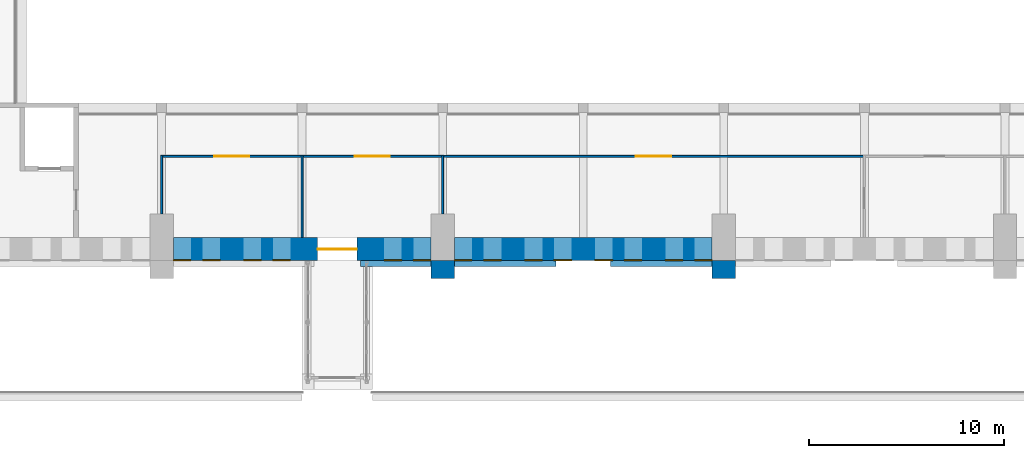
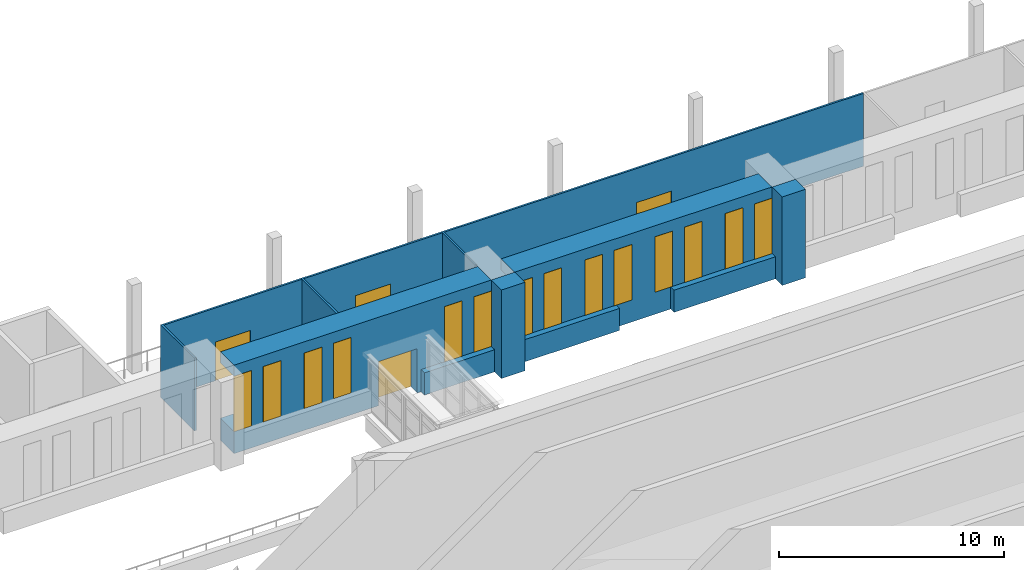
# One storey, part 79 of 131: 14 windows, 13 walls, 4 doors, 18 openings.
"""IFC4 building model written with IfcOpenShell, lengths in metres."""

from ifc_helpers import new_model, si_unit, direction, frame, frame_2d, origin, place, context, subcontext, project, spatial, rectangle, extrude, material, layer, layer_set, type_object, element, fill, save


model = new_model("IFC4")

# Units and contexts
model_context = context("Model", 3, precision=1e-05, world=origin(), true_north=direction((0.0, 1.0)))
body_context = subcontext(model_context, "Body", "Model", "MODEL_VIEW")
ifc_project = project(units=[si_unit("LENGTHUNIT", "METRE"), si_unit("AREAUNIT", "SQUARE_METRE"), si_unit("VOLUMEUNIT", "CUBIC_METRE"), si_unit("PLANEANGLEUNIT", "RADIAN"), si_unit("MASSUNIT", "GRAM", prefix="KILO")], contexts=[model_context])

# Site, building, storey
site_placement = place(None, origin())
site = spatial("IfcSite", under=ifc_project, at=site_placement, CompositionType="ELEMENT")
building_placement = place(site_placement, origin())
building = spatial("IfcBuilding", under=site, at=building_placement, Name="Alderwick Market Hall", CompositionType="ELEMENT")
storey_placement = place(building_placement, frame((0.0, 0.0, 4.800048828125)))
storey = spatial("IfcBuildingStorey", under=building, at=storey_placement, Name="L00", CompositionType="ELEMENT", Elevation=4.800048828125)

# Walls
ifc_material_1 = material(Name="Cast stone 5000 psi (f'c 35 MPa), ASTM C1364", Category="masonry")
ifc_layer_1 = layer(ifc_material_1, 0.300048828125)
ifc_layer_set_1 = layer_set([ifc_layer_1], Name="Cast stone 5000 psi (f'c 35 MPa), ASTM C1364")
wall_type_1 = type_object("IfcWallType", Name="H Base course 300", PredefinedType="SOLIDWALL", material=ifc_layer_set_1)
wall_1_placement = place(storey_placement, frame((75.0, 49.64990234375, 0.0), z_axis=(0.0, 0.0, 1.0), x_axis=(1.0, 0.0, 0.0)))
element("IfcWall", 1, at=wall_1_placement, inside=storey, type_object=wall_type_1, Name="Base course S2", PredefinedType="SOLIDWALL", context=body_context, shape_type="SweptSolid", body=[
    extrude(rectangle(XDim=3.60009765625, YDim=0.300048828125, at=frame_2d((1.800048828125, 0.0))), origin(), (0.0, 0.0, 1.0), 1.199951171875),
])
for number, where, z_axis, x_axis, name in (
    (2, (79.800048828125, 49.64990234375, 0.0), (0.0, 0.0, 1.0), (1.0, 0.0, 0.0), "Base course S3"),
    (3, (87.800048828125, 49.64990234375, 0.0), (0.0, 0.0, 1.0), (1.0, 0.0, 0.0), "Base course S3"),
):
    element("IfcWall", number, at=place(storey_placement, frame(where, z_axis=z_axis, x_axis=x_axis)), inside=storey, type_object=wall_type_1, Name=name, PredefinedType="SOLIDWALL", context=body_context, shape_type="SweptSolid", body=[
        extrude(rectangle(XDim=5.199951171875, YDim=0.300048828125, at=frame_2d((2.60009765625, 0.0))), origin(), (0.0, 0.0, 1.0), 1.199951171875),
    ])
ifc_material_2 = material(Name="Face brick masonry, ASTM C216 grade SW (f'm 17 MPa)", Category="masonry")
ifc_layer_2 = layer(ifc_material_2, 0.89990234375)
ifc_layer_set_2 = layer_set([ifc_layer_2], Name="Face brick masonry, ASTM C216 grade SW (f'm 17 MPa)")
wall_type_2 = type_object("IfcWallType", Name="H Buttress pier 900", PredefinedType="SOLIDWALL", material=ifc_layer_set_2)
for number, where, z_axis, x_axis, name in (
    (4, (78.60009765625, 49.35009765625, 0.0), (0.0, 0.0, 1.0), (1.0, 0.0, 0.0), "Buttress pier S3"),
    (5, (93.0, 49.35009765625, 0.0), (0.0, 0.0, 1.0), (1.0, 0.0, 0.0), "Buttress pier S4"),
):
    element("IfcWall", number, at=place(storey_placement, frame(where, z_axis=z_axis, x_axis=x_axis)), inside=storey, type_object=wall_type_2, Name=name, PredefinedType="SOLIDWALL", context=body_context, shape_type="SweptSolid", body=[
        extrude(rectangle(XDim=1.199951171875, YDim=0.89990234375, at=frame_2d((0.60009765625, 0.0))), origin(), (0.0, 0.0, 1.0), 4.800048828125),
    ])

# Wall, openings, door, windows
ifc_material_3 = material(Name="Concrete 5000 psi (f'c 35 MPa)", Category="concrete")
ifc_layer_3 = layer(ifc_material_3, 1.199951171875)
ifc_layer_set_3 = layer_set([ifc_layer_3], Name="Concrete 5000 psi (f'c 35 MPa)")
wall_type_3 = type_object("IfcWallType", Name="H Long wall 1200", PredefinedType="SOLIDWALL", material=ifc_layer_set_3)
wall_2_placement = place(storey_placement, frame((65.39990234375, 50.39990234375, 0.0), z_axis=(0.0, 0.0, 1.0), x_axis=(1.0, 0.0, 0.0)))
wall_2 = element("IfcWall", 6, at=wall_2_placement, inside=storey, type_object=wall_type_3, Name="Long wall S L00 2", PredefinedType="SOLIDWALL", context=body_context, shape_type="SweptSolid", body=[
    extrude(rectangle(XDim=13.2001953125, YDim=1.199951171875, at=frame_2d((6.60009765625, 0.0))), origin(), (0.0, 0.0, 1.0), 4.800048828125),
])
opening_1_placement = place(wall_2_placement, frame((7.39990234375, 0.0, 0.0)))
opening_1 = element("IfcOpeningElement", 7, at=opening_1_placement, cuts=wall_2, Name="Opening H-D014", PredefinedType="OPENING", context=body_context, shape_type="SweptSolid", body=[
    extrude(rectangle(XDim=2.0, YDim=2.39990234375, at=frame_2d((1.0, 1.199951171875))), frame((0.0, 0.60986328125, 0.0), z_axis=(0.0, -1.0, 0.0), x_axis=(1.0, 0.0, 0.0)), (0.0, 0.0, 1.0), 1.219970703125),
])
opening_2_placement = place(wall_2_placement, frame((0.0, 0.0, 1.199951171875)))
opening_2 = element("IfcOpeningElement", 8, at=opening_2_placement, cuts=wall_2, Name="Opening H-W009", PredefinedType="OPENING", context=body_context, shape_type="SweptSolid", body=[
    extrude(rectangle(XDim=0.89990234375, YDim=3.0, at=frame_2d((0.449951171875, 1.5))), frame((0.0, 0.60986328125, 0.0), z_axis=(0.0, -1.0, 0.0), x_axis=(1.0, 0.0, 0.0)), (0.0, 0.0, 1.0), 1.219970703125),
])
opening_3_placement = place(wall_2_placement, frame((1.5, 0.0, 1.199951171875)))
opening_3 = element("IfcOpeningElement", 9, at=opening_3_placement, cuts=wall_2, Name="Opening H-W010", PredefinedType="OPENING", context=body_context, shape_type="SweptSolid", body=[
    extrude(rectangle(XDim=0.89990234375, YDim=3.0, at=frame_2d((0.449951171875, 1.5))), frame((0.0, 0.60986328125, 0.0), z_axis=(0.0, -1.0, 0.0), x_axis=(1.0, 0.0, 0.0)), (0.0, 0.0, 1.0), 1.219970703125),
])
opening_4_placement = place(wall_2_placement, frame((3.60009765625, 0.0, 1.199951171875)))
opening_4 = element("IfcOpeningElement", 10, at=opening_4_placement, cuts=wall_2, Name="Opening H-W011", PredefinedType="OPENING", context=body_context, shape_type="SweptSolid", body=[
    extrude(rectangle(XDim=0.89990234375, YDim=3.0, at=frame_2d((0.449951171875, 1.5))), frame((0.0, 0.60986328125, 0.0), z_axis=(0.0, -1.0, 0.0), x_axis=(1.0, 0.0, 0.0)), (0.0, 0.0, 1.0), 1.219970703125),
])
opening_5_placement = place(wall_2_placement, frame((5.10009765625, 0.0, 1.199951171875)))
opening_5 = element("IfcOpeningElement", 11, at=opening_5_placement, cuts=wall_2, Name="Opening H-W012", PredefinedType="OPENING", context=body_context, shape_type="SweptSolid", body=[
    extrude(rectangle(XDim=0.89990234375, YDim=3.0, at=frame_2d((0.449951171875, 1.5))), frame((0.0, 0.60986328125, 0.0), z_axis=(0.0, -1.0, 0.0), x_axis=(1.0, 0.0, 0.0)), (0.0, 0.0, 1.0), 1.219970703125),
])
opening_6_placement = place(wall_2_placement, frame((10.800048828125, 0.0, 1.199951171875)))
opening_6 = element("IfcOpeningElement", 12, at=opening_6_placement, cuts=wall_2, Name="Opening H-W013", PredefinedType="OPENING", context=body_context, shape_type="SweptSolid", body=[
    extrude(rectangle(XDim=0.89990234375, YDim=3.0, at=frame_2d((0.449951171875, 1.5))), frame((0.0, 0.60986328125, 0.0), z_axis=(0.0, -1.0, 0.0), x_axis=(1.0, 0.0, 0.0)), (0.0, 0.0, 1.0), 1.219970703125),
])
opening_7_placement = place(wall_2_placement, frame((12.300048828125, 0.0, 1.199951171875)))
opening_7 = element("IfcOpeningElement", 13, at=opening_7_placement, cuts=wall_2, Name="Opening H-W014", PredefinedType="OPENING", context=body_context, shape_type="SweptSolid", body=[
    extrude(rectangle(XDim=0.89990234375, YDim=3.0, at=frame_2d((0.449951171875, 1.5))), frame((0.0, 0.60986328125, 0.0), z_axis=(0.0, -1.0, 0.0), x_axis=(1.0, 0.0, 0.0)), (0.0, 0.0, 1.0), 1.219970703125),
])
ifc_material_4 = material(Name="Bronze-finished aluminium and glass", Category="aluminium")
door_type_1 = type_object("IfcDoorType", Name="H Passage door 2000x2400", OperationType="DOUBLE_DOOR_SINGLE_SWING", PredefinedType="DOOR", material=ifc_material_4)
door_1_placement = place(opening_1_placement, origin())
door_1 = element("IfcDoor", 14, at=door_1_placement, inside=storey, type_object=door_type_1, Name="Door H-D014", OperationType="DOUBLE_DOOR_SINGLE_SWING", OverallHeight=2.39990234375, OverallWidth=2.0, PredefinedType="DOOR", context=body_context, shape_type="SweptSolid", body=[
    extrude(rectangle(XDim=2.0, YDim=2.39990234375, at=frame_2d((1.0, 1.199951171875))), frame((0.0, 0.02490234375, 0.0), z_axis=(0.0, -1.0, 0.0), x_axis=(1.0, 0.0, 0.0)), (0.0, 0.0, 1.0), 0.050048828125),
])
fill(opening_1, door_1)
ifc_material_5 = material(Name="Aluminium frame with insulated glass", Category="aluminium")
window_type = type_object("IfcWindowType", Name="H Window 900x3000", PartitioningType="SINGLE_PANEL", PredefinedType="WINDOW", material=ifc_material_5)
window_1_placement = place(opening_2_placement, origin())
window_1 = element("IfcWindow", 15, at=window_1_placement, inside=storey, type_object=window_type, Name="Window H-W009", OverallHeight=3.0, OverallWidth=0.89990234375, PartitioningType="SINGLE_PANEL", PredefinedType="WINDOW", context=body_context, shape_type="SweptSolid", body=[
    extrude(rectangle(XDim=0.89990234375, YDim=3.0, at=frame_2d((0.449951171875, 1.5))), frame((0.0, -0.550048828125, 0.0), z_axis=(0.0, -1.0, 0.0), x_axis=(1.0, 0.0, 0.0)), (0.0, 0.0, 1.0), 0.06005859375),
])
fill(opening_2, window_1)
window_2_placement = place(opening_3_placement, origin())
window_2 = element("IfcWindow", 16, at=window_2_placement, inside=storey, type_object=window_type, Name="Window H-W010", OverallHeight=3.0, OverallWidth=0.89990234375, PartitioningType="SINGLE_PANEL", PredefinedType="WINDOW", context=body_context, shape_type="SweptSolid", body=[
    extrude(rectangle(XDim=0.89990234375, YDim=3.0, at=frame_2d((0.449951171875, 1.5))), frame((0.0, -0.550048828125, 0.0), z_axis=(0.0, -1.0, 0.0), x_axis=(1.0, 0.0, 0.0)), (0.0, 0.0, 1.0), 0.06005859375),
])
fill(opening_3, window_2)
window_3_placement = place(opening_4_placement, origin())
window_3 = element("IfcWindow", 17, at=window_3_placement, inside=storey, type_object=window_type, Name="Window H-W011", OverallHeight=3.0, OverallWidth=0.89990234375, PartitioningType="SINGLE_PANEL", PredefinedType="WINDOW", context=body_context, shape_type="SweptSolid", body=[
    extrude(rectangle(XDim=0.89990234375, YDim=3.0, at=frame_2d((0.449951171875, 1.5))), frame((0.0, -0.550048828125, 0.0), z_axis=(0.0, -1.0, 0.0), x_axis=(1.0, 0.0, 0.0)), (0.0, 0.0, 1.0), 0.06005859375),
])
fill(opening_4, window_3)
window_4_placement = place(opening_5_placement, origin())
window_4 = element("IfcWindow", 18, at=window_4_placement, inside=storey, type_object=window_type, Name="Window H-W012", OverallHeight=3.0, OverallWidth=0.89990234375, PartitioningType="SINGLE_PANEL", PredefinedType="WINDOW", context=body_context, shape_type="SweptSolid", body=[
    extrude(rectangle(XDim=0.89990234375, YDim=3.0, at=frame_2d((0.449951171875, 1.5))), frame((0.0, -0.550048828125, 0.0), z_axis=(0.0, -1.0, 0.0), x_axis=(1.0, 0.0, 0.0)), (0.0, 0.0, 1.0), 0.06005859375),
])
fill(opening_5, window_4)
window_5_placement = place(opening_6_placement, origin())
window_5 = element("IfcWindow", 19, at=window_5_placement, inside=storey, type_object=window_type, Name="Window H-W013", OverallHeight=3.0, OverallWidth=0.89990234375, PartitioningType="SINGLE_PANEL", PredefinedType="WINDOW", context=body_context, shape_type="SweptSolid", body=[
    extrude(rectangle(XDim=0.89990234375, YDim=3.0, at=frame_2d((0.449951171875, 1.5))), frame((0.0, -0.550048828125, 0.0), z_axis=(0.0, -1.0, 0.0), x_axis=(1.0, 0.0, 0.0)), (0.0, 0.0, 1.0), 0.06005859375),
])
fill(opening_6, window_5)
window_6_placement = place(opening_7_placement, origin())
window_6 = element("IfcWindow", 20, at=window_6_placement, inside=storey, type_object=window_type, Name="Window H-W014", OverallHeight=3.0, OverallWidth=0.89990234375, PartitioningType="SINGLE_PANEL", PredefinedType="WINDOW", context=body_context, shape_type="SweptSolid", body=[
    extrude(rectangle(XDim=0.89990234375, YDim=3.0, at=frame_2d((0.449951171875, 1.5))), frame((0.0, -0.550048828125, 0.0), z_axis=(0.0, -1.0, 0.0), x_axis=(1.0, 0.0, 0.0)), (0.0, 0.0, 1.0), 0.06005859375),
])
fill(opening_7, window_6)

# Wall, openings, windows
wall_3_placement = place(storey_placement, frame((79.800048828125, 50.39990234375, 0.0), z_axis=(0.0, 0.0, 1.0), x_axis=(1.0, 0.0, 0.0)))
wall_3 = element("IfcWall", 21, at=wall_3_placement, inside=storey, type_object=wall_type_3, Name="Long wall S L00 3", PredefinedType="SOLIDWALL", context=body_context, shape_type="SweptSolid", body=[
    extrude(rectangle(XDim=13.199951171875, YDim=1.199951171875, at=frame_2d((6.60009765625, 0.0))), origin(), (0.0, 0.0, 1.0), 4.800048828125),
])
opening_8_placement = place(wall_3_placement, frame((0.0, 0.0, 1.199951171875)))
opening_8 = element("IfcOpeningElement", 22, at=opening_8_placement, cuts=wall_3, Name="Opening H-W015", PredefinedType="OPENING", context=body_context, shape_type="SweptSolid", body=[
    extrude(rectangle(XDim=0.89990234375, YDim=3.0, at=frame_2d((0.449951171875, 1.5))), frame((0.0, 0.60986328125, 0.0), z_axis=(0.0, -1.0, 0.0), x_axis=(1.0, 0.0, 0.0)), (0.0, 0.0, 1.0), 1.219970703125),
])
opening_9_placement = place(wall_3_placement, frame((1.5, 0.0, 1.199951171875)))
opening_9 = element("IfcOpeningElement", 23, at=opening_9_placement, cuts=wall_3, Name="Opening H-W016", PredefinedType="OPENING", context=body_context, shape_type="SweptSolid", body=[
    extrude(rectangle(XDim=0.89990234375, YDim=3.0, at=frame_2d((0.449951171875, 1.5))), frame((0.0, 0.60986328125, 0.0), z_axis=(0.0, -1.0, 0.0), x_axis=(1.0, 0.0, 0.0)), (0.0, 0.0, 1.0), 1.219970703125),
])
opening_10_placement = place(wall_3_placement, frame((3.60009765625, 0.0, 1.199951171875)))
opening_10 = element("IfcOpeningElement", 24, at=opening_10_placement, cuts=wall_3, Name="Opening H-W017", PredefinedType="OPENING", context=body_context, shape_type="SweptSolid", body=[
    extrude(rectangle(XDim=0.89990234375, YDim=3.0, at=frame_2d((0.449951171875, 1.5))), frame((0.0, 0.60986328125, 0.0), z_axis=(0.0, -1.0, 0.0), x_axis=(1.0, 0.0, 0.0)), (0.0, 0.0, 1.0), 1.219970703125),
])
opening_11_placement = place(wall_3_placement, frame((5.10009765625, 0.0, 1.199951171875)))
opening_11 = element("IfcOpeningElement", 25, at=opening_11_placement, cuts=wall_3, Name="Opening H-W018", PredefinedType="OPENING", context=body_context, shape_type="SweptSolid", body=[
    extrude(rectangle(XDim=0.89990234375, YDim=3.0, at=frame_2d((0.449951171875, 1.5))), frame((0.0, 0.60986328125, 0.0), z_axis=(0.0, -1.0, 0.0), x_axis=(1.0, 0.0, 0.0)), (0.0, 0.0, 1.0), 1.219970703125),
])
opening_12_placement = place(wall_3_placement, frame((7.199951171875, 0.0, 1.199951171875)))
opening_12 = element("IfcOpeningElement", 26, at=opening_12_placement, cuts=wall_3, Name="Opening H-W019", PredefinedType="OPENING", context=body_context, shape_type="SweptSolid", body=[
    extrude(rectangle(XDim=0.89990234375, YDim=3.0, at=frame_2d((0.449951171875, 1.5))), frame((0.0, 0.60986328125, 0.0), z_axis=(0.0, -1.0, 0.0), x_axis=(1.0, 0.0, 0.0)), (0.0, 0.0, 1.0), 1.219970703125),
])
opening_13_placement = place(wall_3_placement, frame((8.699951171875, 0.0, 1.199951171875)))
opening_13 = element("IfcOpeningElement", 27, at=opening_13_placement, cuts=wall_3, Name="Opening H-W020", PredefinedType="OPENING", context=body_context, shape_type="SweptSolid", body=[
    extrude(rectangle(XDim=0.89990234375, YDim=3.0, at=frame_2d((0.449951171875, 1.5))), frame((0.0, 0.60986328125, 0.0), z_axis=(0.0, -1.0, 0.0), x_axis=(1.0, 0.0, 0.0)), (0.0, 0.0, 1.0), 1.219970703125),
])
opening_14_placement = place(wall_3_placement, frame((10.800048828125, 0.0, 1.199951171875)))
opening_14 = element("IfcOpeningElement", 28, at=opening_14_placement, cuts=wall_3, Name="Opening H-W021", PredefinedType="OPENING", context=body_context, shape_type="SweptSolid", body=[
    extrude(rectangle(XDim=0.89990234375, YDim=3.0, at=frame_2d((0.449951171875, 1.5))), frame((0.0, 0.60986328125, 0.0), z_axis=(0.0, -1.0, 0.0), x_axis=(1.0, 0.0, 0.0)), (0.0, 0.0, 1.0), 1.219970703125),
])
opening_15_placement = place(wall_3_placement, frame((12.300048828125, 0.0, 1.199951171875)))
opening_15 = element("IfcOpeningElement", 29, at=opening_15_placement, cuts=wall_3, Name="Opening H-W022", PredefinedType="OPENING", context=body_context, shape_type="SweptSolid", body=[
    extrude(rectangle(XDim=0.89990234375, YDim=3.0, at=frame_2d((0.449951171875, 1.5))), frame((0.0, 0.60986328125, 0.0), z_axis=(0.0, -1.0, 0.0), x_axis=(1.0, 0.0, 0.0)), (0.0, 0.0, 1.0), 1.219970703125),
])
window_7_placement = place(opening_8_placement, origin())
window_7 = element("IfcWindow", 30, at=window_7_placement, inside=storey, type_object=window_type, Name="Window H-W015", OverallHeight=3.0, OverallWidth=0.89990234375, PartitioningType="SINGLE_PANEL", PredefinedType="WINDOW", context=body_context, shape_type="SweptSolid", body=[
    extrude(rectangle(XDim=0.89990234375, YDim=3.0, at=frame_2d((0.449951171875, 1.5))), frame((0.0, -0.550048828125, 0.0), z_axis=(0.0, -1.0, 0.0), x_axis=(1.0, 0.0, 0.0)), (0.0, 0.0, 1.0), 0.06005859375),
])
fill(opening_8, window_7)
window_8_placement = place(opening_9_placement, origin())
window_8 = element("IfcWindow", 31, at=window_8_placement, inside=storey, type_object=window_type, Name="Window H-W016", OverallHeight=3.0, OverallWidth=0.89990234375, PartitioningType="SINGLE_PANEL", PredefinedType="WINDOW", context=body_context, shape_type="SweptSolid", body=[
    extrude(rectangle(XDim=0.89990234375, YDim=3.0, at=frame_2d((0.449951171875, 1.5))), frame((0.0, -0.550048828125, 0.0), z_axis=(0.0, -1.0, 0.0), x_axis=(1.0, 0.0, 0.0)), (0.0, 0.0, 1.0), 0.06005859375),
])
fill(opening_9, window_8)
window_9_placement = place(opening_10_placement, origin())
window_9 = element("IfcWindow", 32, at=window_9_placement, inside=storey, type_object=window_type, Name="Window H-W017", OverallHeight=3.0, OverallWidth=0.89990234375, PartitioningType="SINGLE_PANEL", PredefinedType="WINDOW", context=body_context, shape_type="SweptSolid", body=[
    extrude(rectangle(XDim=0.89990234375, YDim=3.0, at=frame_2d((0.449951171875, 1.5))), frame((0.0, -0.550048828125, 0.0), z_axis=(0.0, -1.0, 0.0), x_axis=(1.0, 0.0, 0.0)), (0.0, 0.0, 1.0), 0.06005859375),
])
fill(opening_10, window_9)
window_10_placement = place(opening_11_placement, origin())
window_10 = element("IfcWindow", 33, at=window_10_placement, inside=storey, type_object=window_type, Name="Window H-W018", OverallHeight=3.0, OverallWidth=0.89990234375, PartitioningType="SINGLE_PANEL", PredefinedType="WINDOW", context=body_context, shape_type="SweptSolid", body=[
    extrude(rectangle(XDim=0.89990234375, YDim=3.0, at=frame_2d((0.449951171875, 1.5))), frame((0.0, -0.550048828125, 0.0), z_axis=(0.0, -1.0, 0.0), x_axis=(1.0, 0.0, 0.0)), (0.0, 0.0, 1.0), 0.06005859375),
])
fill(opening_11, window_10)
window_11_placement = place(opening_12_placement, origin())
window_11 = element("IfcWindow", 34, at=window_11_placement, inside=storey, type_object=window_type, Name="Window H-W019", OverallHeight=3.0, OverallWidth=0.89990234375, PartitioningType="SINGLE_PANEL", PredefinedType="WINDOW", context=body_context, shape_type="SweptSolid", body=[
    extrude(rectangle(XDim=0.89990234375, YDim=3.0, at=frame_2d((0.449951171875, 1.5))), frame((0.0, -0.550048828125, 0.0), z_axis=(0.0, -1.0, 0.0), x_axis=(1.0, 0.0, 0.0)), (0.0, 0.0, 1.0), 0.06005859375),
])
fill(opening_12, window_11)
window_12_placement = place(opening_13_placement, origin())
window_12 = element("IfcWindow", 35, at=window_12_placement, inside=storey, type_object=window_type, Name="Window H-W020", OverallHeight=3.0, OverallWidth=0.89990234375, PartitioningType="SINGLE_PANEL", PredefinedType="WINDOW", context=body_context, shape_type="SweptSolid", body=[
    extrude(rectangle(XDim=0.89990234375, YDim=3.0, at=frame_2d((0.449951171875, 1.5))), frame((0.0, -0.550048828125, 0.0), z_axis=(0.0, -1.0, 0.0), x_axis=(1.0, 0.0, 0.0)), (0.0, 0.0, 1.0), 0.06005859375),
])
fill(opening_13, window_12)
window_13_placement = place(opening_14_placement, origin())
window_13 = element("IfcWindow", 36, at=window_13_placement, inside=storey, type_object=window_type, Name="Window H-W021", OverallHeight=3.0, OverallWidth=0.89990234375, PartitioningType="SINGLE_PANEL", PredefinedType="WINDOW", context=body_context, shape_type="SweptSolid", body=[
    extrude(rectangle(XDim=0.89990234375, YDim=3.0, at=frame_2d((0.449951171875, 1.5))), frame((0.0, -0.550048828125, 0.0), z_axis=(0.0, -1.0, 0.0), x_axis=(1.0, 0.0, 0.0)), (0.0, 0.0, 1.0), 0.06005859375),
])
fill(opening_14, window_13)
window_14_placement = place(opening_15_placement, origin())
window_14 = element("IfcWindow", 37, at=window_14_placement, inside=storey, type_object=window_type, Name="Window H-W022", OverallHeight=3.0, OverallWidth=0.89990234375, PartitioningType="SINGLE_PANEL", PredefinedType="WINDOW", context=body_context, shape_type="SweptSolid", body=[
    extrude(rectangle(XDim=0.89990234375, YDim=3.0, at=frame_2d((0.449951171875, 1.5))), frame((0.0, -0.550048828125, 0.0), z_axis=(0.0, -1.0, 0.0), x_axis=(1.0, 0.0, 0.0)), (0.0, 0.0, 1.0), 0.06005859375),
])
fill(opening_15, window_14)

# Walls
ifc_material_6 = material(Name="Gypsum board partition")
ifc_layer_4 = layer(ifc_material_6, 0.10009765625)
ifc_layer_set_4 = layer_set([ifc_layer_4], Name="Gypsum board partition")
wall_type_4 = type_object("IfcWallType", Name="H Partition 100", PredefinedType="PARTITIONING", material=ifc_layer_set_4)
wall_4_placement = place(storey_placement, frame((64.800048828125, 52.199951171875, 0.0), z_axis=(0.0, 0.0, 1.0), x_axis=(0.0, 1.0, 0.0)))
element("IfcWall", 38, at=wall_4_placement, inside=storey, type_object=wall_type_4, Name="Partition", PredefinedType="PARTITIONING", context=body_context, shape_type="SweptSolid", body=[
    extrude(rectangle(XDim=3.0, YDim=0.10009765625, at=frame_2d((1.5, 0.0))), origin(), (0.0, 0.0, 1.0), 3.949951171875),
])
wall_5_placement = place(storey_placement, frame((72.0, 51.0, 0.0), z_axis=(0.0, 0.0, 1.0), x_axis=(0.0, 1.0, 0.0)))
element("IfcWall", 39, at=wall_5_placement, inside=storey, type_object=wall_type_4, Name="Partition", PredefinedType="PARTITIONING", context=body_context, shape_type="SweptSolid", body=[
    extrude(rectangle(XDim=4.199951171875, YDim=0.10009765625, at=frame_2d((2.10009765625, 0.0))), origin(), (0.0, 0.0, 1.0), 3.949951171875),
])
wall_6_placement = place(storey_placement, frame((79.199951171875, 52.199951171875, 0.0), z_axis=(0.0, 0.0, 1.0), x_axis=(0.0, 1.0, 0.0)))
element("IfcWall", 40, at=wall_6_placement, inside=storey, type_object=wall_type_4, Name="Partition", PredefinedType="PARTITIONING", context=body_context, shape_type="SweptSolid", body=[
    extrude(rectangle(XDim=3.0, YDim=0.10009765625, at=frame_2d((1.5, 0.0))), origin(), (0.0, 0.0, 1.0), 3.949951171875),
])

# Wall, opening, door
wall_7_placement = place(storey_placement, frame((64.85009765625, 55.14990234375, 0.0), z_axis=(0.0, 0.0, 1.0), x_axis=(1.0, 0.0, 0.0)))
wall_7 = element("IfcWall", 41, at=wall_7_placement, inside=storey, type_object=wall_type_4, Name="Partition", PredefinedType="PARTITIONING", context=body_context, shape_type="SweptSolid", body=[
    extrude(rectangle(XDim=7.099853515625, YDim=0.10009765625, at=frame_2d((3.5498046875, 0.0))), origin(), (0.0, 0.0, 1.0), 3.949951171875),
])
opening_16_placement = place(wall_7_placement, frame((2.64990234375, 0.0, 0.0)))
opening_16 = element("IfcOpeningElement", 42, at=opening_16_placement, cuts=wall_7, Name="Opening H-D060", PredefinedType="OPENING", context=body_context, shape_type="SweptSolid", body=[
    extrude(rectangle(XDim=1.800048828125, YDim=2.10009765625, at=frame_2d((0.89990234375, 1.050048828125))), frame((0.0, 0.06005859375, 0.0), z_axis=(0.0, -1.0, 0.0), x_axis=(1.0, 0.0, 0.0)), (0.0, 0.0, 1.0), 0.1201171875),
])
ifc_material_7 = material(Name="Timber and glass", Category="wood")
door_type_2 = type_object("IfcDoorType", Name="H Double door 1800x2100", OperationType="DOUBLE_DOOR_SINGLE_SWING", PredefinedType="DOOR", material=ifc_material_7)
door_2_placement = place(opening_16_placement, origin())
door_2 = element("IfcDoor", 43, at=door_2_placement, inside=storey, type_object=door_type_2, Name="Door H-D060", OperationType="DOUBLE_DOOR_SINGLE_SWING", OverallHeight=2.10009765625, OverallWidth=1.800048828125, PredefinedType="DOOR", context=body_context, shape_type="SweptSolid", body=[
    extrude(rectangle(XDim=1.800048828125, YDim=2.10009765625, at=frame_2d((0.89990234375, 1.050048828125))), frame((0.0, 0.02490234375, 0.0), z_axis=(0.0, -1.0, 0.0), x_axis=(1.0, 0.0, 0.0)), (0.0, 0.0, 1.0), 0.050048828125),
])
fill(opening_16, door_2)

wall_8_placement = place(storey_placement, frame((72.050048828125, 55.14990234375, 0.0), z_axis=(0.0, 0.0, 1.0), x_axis=(1.0, 0.0, 0.0)))
wall_8 = element("IfcWall", 44, at=wall_8_placement, inside=storey, type_object=wall_type_4, Name="Partition", PredefinedType="PARTITIONING", context=body_context, shape_type="SweptSolid", body=[
    extrude(rectangle(XDim=7.099853515625, YDim=0.10009765625, at=frame_2d((3.5498046875, 0.0))), origin(), (0.0, 0.0, 1.0), 3.949951171875),
])
opening_17_placement = place(wall_8_placement, frame((2.64990234375, 0.0, 0.0)))
opening_17 = element("IfcOpeningElement", 45, at=opening_17_placement, cuts=wall_8, Name="Opening H-D061", PredefinedType="OPENING", context=body_context, shape_type="SweptSolid", body=[
    extrude(rectangle(XDim=1.800048828125, YDim=2.10009765625, at=frame_2d((0.89990234375, 1.050048828125))), frame((0.0, 0.06005859375, 0.0), z_axis=(0.0, -1.0, 0.0), x_axis=(1.0, 0.0, 0.0)), (0.0, 0.0, 1.0), 0.1201171875),
])
door_3_placement = place(opening_17_placement, origin())
door_3 = element("IfcDoor", 46, at=door_3_placement, inside=storey, type_object=door_type_2, Name="Door H-D061", OperationType="DOUBLE_DOOR_SINGLE_SWING", OverallHeight=2.10009765625, OverallWidth=1.800048828125, PredefinedType="DOOR", context=body_context, shape_type="SweptSolid", body=[
    extrude(rectangle(XDim=1.800048828125, YDim=2.10009765625, at=frame_2d((0.89990234375, 1.050048828125))), frame((0.0, 0.02490234375, 0.0), z_axis=(0.0, -1.0, 0.0), x_axis=(1.0, 0.0, 0.0)), (0.0, 0.0, 1.0), 0.050048828125),
])
fill(opening_17, door_3)

wall_9_placement = place(storey_placement, frame((79.25, 55.14990234375, 0.0), z_axis=(0.0, 0.0, 1.0), x_axis=(1.0, 0.0, 0.0)))
wall_9 = element("IfcWall", 47, at=wall_9_placement, inside=storey, type_object=wall_type_4, Name="Partition", PredefinedType="PARTITIONING", context=body_context, shape_type="SweptSolid", body=[
    extrude(rectangle(XDim=21.5, YDim=0.10009765625, at=frame_2d((10.75, 0.0))), origin(), (0.0, 0.0, 1.0), 3.949951171875),
])
opening_18_placement = place(wall_9_placement, frame((9.85009765625, 0.0, 0.0)))
opening_18 = element("IfcOpeningElement", 48, at=opening_18_placement, cuts=wall_9, Name="Opening H-D062", PredefinedType="OPENING", context=body_context, shape_type="SweptSolid", body=[
    extrude(rectangle(XDim=1.800048828125, YDim=2.10009765625, at=frame_2d((0.89990234375, 1.050048828125))), frame((0.0, 0.06005859375, 0.0), z_axis=(0.0, -1.0, 0.0), x_axis=(1.0, 0.0, 0.0)), (0.0, 0.0, 1.0), 0.1201171875),
])
door_4_placement = place(opening_18_placement, origin())
door_4 = element("IfcDoor", 49, at=door_4_placement, inside=storey, type_object=door_type_2, Name="Door H-D062", OperationType="DOUBLE_DOOR_SINGLE_SWING", OverallHeight=2.10009765625, OverallWidth=1.800048828125, PredefinedType="DOOR", context=body_context, shape_type="SweptSolid", body=[
    extrude(rectangle(XDim=1.800048828125, YDim=2.10009765625, at=frame_2d((0.89990234375, 1.050048828125))), frame((0.0, 0.02490234375, 0.0), z_axis=(0.0, -1.0, 0.0), x_axis=(1.0, 0.0, 0.0)), (0.0, 0.0, 1.0), 0.050048828125),
])
fill(opening_18, door_4)

save(model, "model.ifc")
